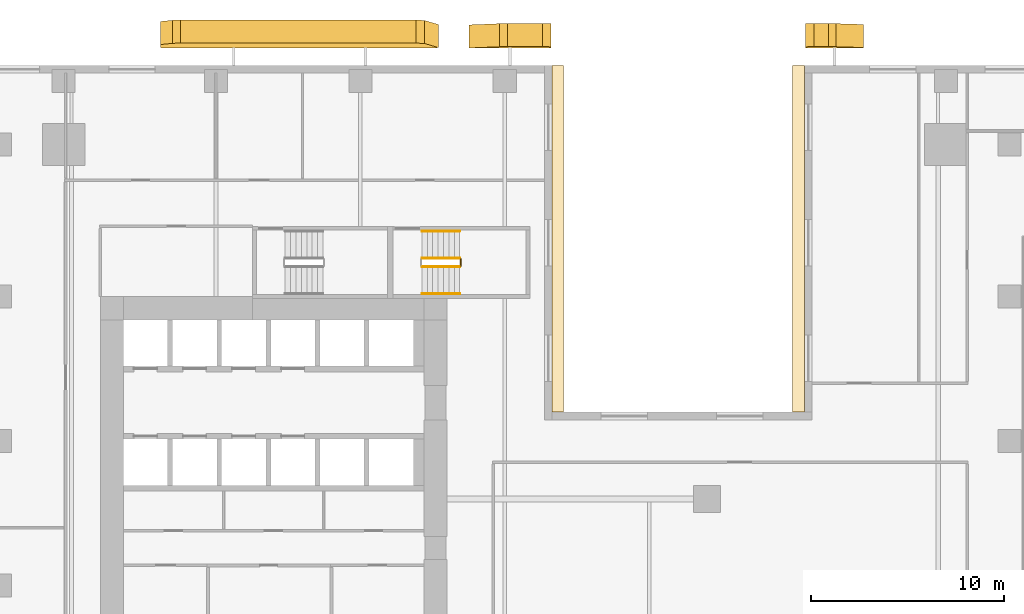
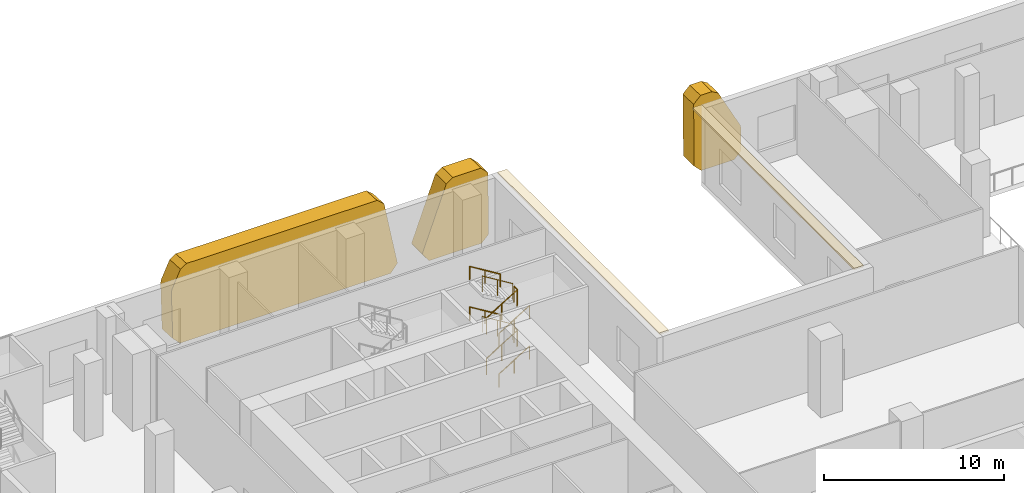
# One storey, part 20 of 23: 10 railings, 5 coverings.
"""IFC4 building model written with IfcOpenShell, lengths in metres."""

from ifc_helpers import new_model, si_unit, direction, frame, origin, origin_2d, place, context, subcontext, project, spatial, polyline, circle, outline, extrude, source, transform, mapped, material, layer, layer_set, type_object, element, save


model = new_model("IFC4")

# Units and contexts
model_context = context("Model", 3, precision=1e-05, world=origin(), true_north=direction((0.0, 1.0)))
body_context = subcontext(model_context, "Body", "Model", "MODEL_VIEW")
ifc_project = project(units=[si_unit("LENGTHUNIT", "METRE"), si_unit("AREAUNIT", "SQUARE_METRE"), si_unit("VOLUMEUNIT", "CUBIC_METRE"), si_unit("PLANEANGLEUNIT", "RADIAN"), si_unit("MASSUNIT", "GRAM", prefix="KILO")], contexts=[model_context])

# Site, building, storey
site_placement = place(None, origin())
site = spatial("IfcSite", under=ifc_project, at=site_placement, CompositionType="ELEMENT")
building_placement = place(site_placement, origin())
building = spatial("IfcBuilding", under=site, at=building_placement, Name="Khomas Fold Tower", CompositionType="ELEMENT")
storey_placement = place(building_placement, frame((0.0, 0.0, 7.5)))
storey = spatial("IfcBuildingStorey", under=building, at=storey_placement, Name="L01", CompositionType="ELEMENT", Elevation=7.5)

# Coverings
ifc_material_1 = material(Name="Natural stone cladding", Category="masonry")
ifc_layer_1 = layer(ifc_material_1, 1.199951171875)
ifc_layer_set_1 = layer_set([ifc_layer_1], Name="Natural stone cladding")
covering_type_1 = type_object("IfcCoveringType", Name="SK-Karibib marble stone panel", PredefinedType="CLADDING", material=ifc_layer_set_1)
covering_1_placement = place(storey_placement, frame((9.1298828125, 54.923583984375, 0.449951171875), z_axis=(2.199038e-06, -0.998629527536, 0.05233609393), x_axis=(6.3e-11, 0.05233609393, 0.998629527539)))
element("IfcCovering", 1, at=covering_1_placement, inside=storey, type_object=covering_type_1, Name="OUTER SKIN leaf L01 NS05-1", PredefinedType="CLADDING", context=body_context, shape_type="SweptSolid", body=[
    extrude(outline(polyline([(0.0, 0.0), (3.039815107094348, 0.0), (3.2463934124938096, -0.05029296858413013), (4.362421762057507, -0.6252441402570657), (4.606404610073123, -1.0251464838281048), (4.606404610849522, -13.254638671298537), (4.234078604563714, -13.697753906134269), (0.07847895402572562, -14.431152343805055), (-0.4505739298651374, -13.988037109148785), (-0.45057393072459734, -0.4501953123065159), (0.0, 0.0)])), origin(), (0.0, 0.0, -1.0), 1.199951171875),
])
covering_2_placement = place(storey_placement, frame((42.60009765625, 54.906982421875, 0.449951171875), z_axis=(-4.665008e-06, -0.999875865087, 0.01575609069), x_axis=(-3.5e-11, 0.01575609069, 0.999875865098)))
element("IfcCovering", 2, at=covering_2_placement, inside=storey, type_object=covering_type_1, Name="OUTER SKIN leaf L01 NS08-2", PredefinedType="CLADDING", context=body_context, shape_type="SweptSolid", body=[
    extrude(outline(polyline([(0.0, 0.0), (4.150662222439387, 5.293955920339377e-23), (4.600669094007027, -0.44995117193394635), (4.600669093980707, -1.193847656300852), (4.3601588828892375, -1.5922851568327108), (1.7438705728394024, -2.9682617182600883), (1.534370065629553, -3.020019531298265), (-1.0685463555390403e-10, -3.020019531217139), (-0.45000687167448644, -2.5698242186581957), (-0.4500068715994809, -0.4499511718062619), (0.0, 0.0)])), origin(), (0.0, 0.0, -1.0), 1.199951171875),
])
covering_3_placement = place(storey_placement, frame((25.138671875, 54.90966796875, 0.6103515625), z_axis=(-1.0912996e-05, -0.999875814105, 0.015759322606), x_axis=(0.35627238562, 0.014721342098, 0.934266166213)))
element("IfcCovering", 3, at=covering_3_placement, inside=storey, type_object=covering_type_1, Name="OUTER SKIN leaf L01 NS08-3", PredefinedType="CLADDING", context=body_context, shape_type="SweptSolid", body=[
    extrude(outline(polyline([(0.0, 0.0), (4.441880980280241, 0.0), (4.8624753877103135, -0.28956459073180363), (5.5067404170780865, -1.9792541720664958), (5.24656720991163, -2.560005533361116), (1.368262551917327, -4.038771865554909), (0.7874789899176573, -3.778670547384202), (-0.42059404813945034, -0.6103029768215533), (0.0, 0.0)])), origin(), (0.0, 0.0, -1.0), 1.199951171875),
])
ifc_material_2 = material(Name="Natural stone cladding", Category="masonry")
ifc_layer_2 = layer(ifc_material_2, 0.1201171875)
ifc_layer_set_2 = layer_set([ifc_layer_2], Name="Natural stone cladding")
covering_type_2 = type_object("IfcCoveringType", Name="Notch soffit stone GN-SF", PredefinedType="CLADDING", material=ifc_layer_set_2)
shared_shape_1 = source(origin(), body_context, "Body", "SweptSolid", [
    extrude(outline(polyline([(41.949951171875, 54.0), (41.949951171875, 36.0), (42.550048828125, 36.0), (42.550048828125, 54.0), (41.949951171875, 54.0)])), origin(), (0.0, 0.0, 1.0), 0.119873046875),
])
covering_4_placement = place(storey_placement, frame((0.0, 0.0, 5.080078125)))
element("IfcCovering", 4, at=covering_4_placement, inside=storey, type_object=covering_type_2, Name="Notch soffit stone", PredefinedType="CLADDING", context=body_context, shape_type="MappedRepresentation", body=[
    mapped(shared_shape_1, transform((0.0, 0.0, 0.0))),
])
shared_shape_2 = source(origin(), body_context, "Body", "SweptSolid", [
    extrude(outline(polyline([(30.050048828125, 36.0), (30.050048828125, 54.0), (29.449951171875, 54.0), (29.449951171875, 36.0), (30.050048828125, 36.0)])), origin(), (0.0, 0.0, 1.0), 0.119873046875),
])
covering_5_placement = place(storey_placement, frame((0.0, 0.0, 5.080078125)))
element("IfcCovering", 5, at=covering_5_placement, inside=storey, type_object=covering_type_2, Name="Notch soffit stone", PredefinedType="CLADDING", context=body_context, shape_type="MappedRepresentation", body=[
    mapped(shared_shape_2, transform((0.0, 0.0, 0.0))),
])

# Railings
ifc_material_3 = material(Name="Steel balustrade", Category="steel")
railing_type_1 = type_object("IfcRailingType", Name="Stair guard", PredefinedType="GUARDRAIL", material=ifc_material_3)
shared_shape_3 = source(origin(), body_context, "Body", "SweptSolid", [
    extrude(circle(Radius=0.02392578125, at=origin_2d()), frame((0.0, 0.0, 1.076171875), z_axis=(0.0, 1.0, 0.0), x_axis=(-1.0, 0.0, 0.0)), (0.0, 0.0, 1.0), 0.349853515625),
    extrude(circle(Radius=0.02099609375, at=origin_2d()), origin(), (0.0, 0.0, 1.0), 1.052001953125),
    extrude(circle(Radius=0.02099609375, at=origin_2d()), frame((0.0, 0.349853515625, 0.0)), (0.0, 0.0, 1.0), 1.052001953125),
])
for number, where, name in (
    (6, (24.7099609375, 43.60009765625, 1.375), "L01 ST3 stair guard 2"),
    (7, (24.7099609375, 43.60009765625, 4.125), "L01 ST3 stair guard 6"),
):
    element("IfcRailing", number, at=place(storey_placement, frame(where)), inside=storey, type_object=railing_type_1, Name=name, PredefinedType="GUARDRAIL", context=body_context, shape_type="MappedRepresentation", body=[
        mapped(shared_shape_3, transform((0.0, 0.0, 0.0))),
    ])
shared_shape_4 = source(origin(), body_context, "Body", "SweptSolid", [
    extrude(circle(Radius=0.02392578125, at=origin_2d()), frame((0.0, 0.0, 1.076171875), z_axis=(0.852240978134, 0.0, 0.523149419562), x_axis=(0.0, 1.0, 0.0)), (0.0, 0.0, 1.0), 2.2998046875),
    extrude(circle(Radius=0.02099609375, at=origin_2d()), origin(), (0.0, 0.0, 1.0), 1.052001953125),
    extrude(circle(Radius=0.02099609375, at=origin_2d()), frame((0.97998046875, 0.0, 0.6015625)), (0.0, 0.0, 1.0), 1.052001953125),
    extrude(circle(Radius=0.02099609375, at=origin_2d()), frame((1.9599609375, 0.0, 1.203125)), (0.0, 0.0, 1.0), 1.052001953125),
])
for number, where, name in (
    (8, (22.699951171875, 43.550048828125, 0.171875), "L01 ST3 stair guard 1"),
    (9, (22.699951171875, 43.550048828125, 2.921875), "L01 ST3 stair guard 5"),
):
    element("IfcRailing", number, at=place(storey_placement, frame(where)), inside=storey, type_object=railing_type_1, Name=name, PredefinedType="GUARDRAIL", context=body_context, shape_type="MappedRepresentation", body=[
        mapped(shared_shape_4, transform((0.0, 0.0, 0.0))),
    ])
shared_shape_5 = source(origin(), body_context, "Body", "SweptSolid", [
    extrude(circle(Radius=0.02392578125, at=origin_2d()), frame((0.0, 0.0, 1.076171875), z_axis=(-0.852240978134, 0.0, 0.523149419562), x_axis=(0.0, -1.0, 0.0)), (0.0, 0.0, 1.0), 2.2998046875),
    extrude(circle(Radius=0.02099609375, at=origin_2d()), origin(), (0.0, 0.0, 1.0), 1.052001953125),
    extrude(circle(Radius=0.02099609375, at=origin_2d()), frame((-0.97998046875, 0.0, 0.6015625)), (0.0, 0.0, 1.0), 1.052001953125),
    extrude(circle(Radius=0.02099609375, at=origin_2d()), frame((-1.9599609375, 0.0, 1.203125)), (0.0, 0.0, 1.0), 1.052001953125),
])
for number, where, name in (
    (10, (24.659912109375, 44.0, 1.546875), "L01 ST3 stair guard 3"),
    (11, (24.659912109375, 44.0, 4.296875), "L01 ST3 stair guard 7"),
):
    element("IfcRailing", number, at=place(storey_placement, frame(where)), inside=storey, type_object=railing_type_1, Name=name, PredefinedType="GUARDRAIL", context=body_context, shape_type="MappedRepresentation", body=[
        mapped(shared_shape_5, transform((0.0, 0.0, 0.0))),
    ])
ifc_material_4 = material(Name="Steel handrail", Category="steel")
railing_type_2 = type_object("IfcRailingType", Name="Stair handrail", PredefinedType="HANDRAIL", material=ifc_material_4)
shared_shape_6 = source(origin(), body_context, "Body", "SweptSolid", [
    extrude(circle(Radius=0.02392578125, at=origin_2d()), frame((0.0, 0.0, 0.8759765625), z_axis=(0.852240978134, 0.0, 0.523149419562), x_axis=(0.0, 1.0, 0.0)), (0.0, 0.0, 1.0), 2.2998046875),
    extrude(circle(Radius=0.02099609375, at=origin_2d()), origin(), (0.0, 0.0, 1.0), 0.851806640625),
    extrude(circle(Radius=0.02099609375, at=origin_2d()), frame((0.97998046875, 0.0, 0.6015625)), (0.0, 0.0, 1.0), 0.851806640625),
    extrude(circle(Radius=0.02099609375, at=origin_2d()), frame((1.9599609375, 0.0, 1.203125)), (0.0, 0.0, 1.0), 0.851806640625),
])
for number, where, name in (
    (12, (22.699951171875, 42.14990234375, 0.171875), "L01 ST3 stair handrail 1"),
    (13, (22.699951171875, 42.14990234375, 2.921875), "L01 ST3 stair handrail 3"),
):
    element("IfcRailing", number, at=place(storey_placement, frame(where)), inside=storey, type_object=railing_type_2, Name=name, PredefinedType="HANDRAIL", context=body_context, shape_type="MappedRepresentation", body=[
        mapped(shared_shape_6, transform((0.0, 0.0, 0.0))),
    ])
shared_shape_7 = source(origin(), body_context, "Body", "SweptSolid", [
    extrude(circle(Radius=0.02392578125, at=origin_2d()), frame((0.0, 0.0, 0.8759765625), z_axis=(-0.852240978134, 0.0, 0.523149419562), x_axis=(0.0, -1.0, 0.0)), (0.0, 0.0, 1.0), 2.2998046875),
    extrude(circle(Radius=0.02099609375, at=origin_2d()), origin(), (0.0, 0.0, 1.0), 0.851806640625),
    extrude(circle(Radius=0.02099609375, at=origin_2d()), frame((-0.97998046875, 0.0, 0.6015625)), (0.0, 0.0, 1.0), 0.851806640625),
    extrude(circle(Radius=0.02099609375, at=origin_2d()), frame((-1.9599609375, 0.0, 1.203125)), (0.0, 0.0, 1.0), 0.851806640625),
])
for number, where, name in (
    (14, (24.659912109375, 45.39990234375, 1.546875), "L01 ST3 stair handrail 2"),
    (15, (24.659912109375, 45.39990234375, 4.296875), "L01 ST3 stair handrail 4"),
):
    element("IfcRailing", number, at=place(storey_placement, frame(where)), inside=storey, type_object=railing_type_2, Name=name, PredefinedType="HANDRAIL", context=body_context, shape_type="MappedRepresentation", body=[
        mapped(shared_shape_7, transform((0.0, 0.0, 0.0))),
    ])

save(model, "model.ifc")
